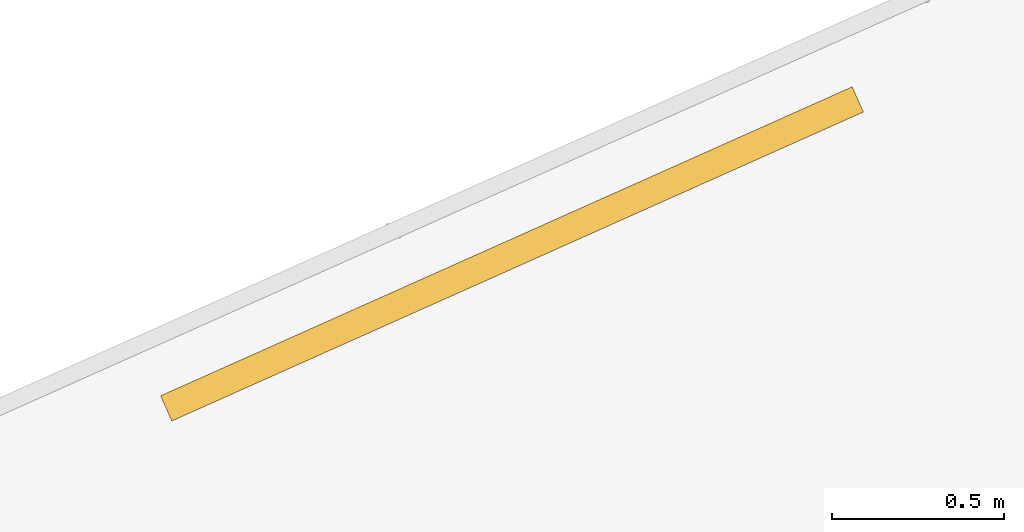
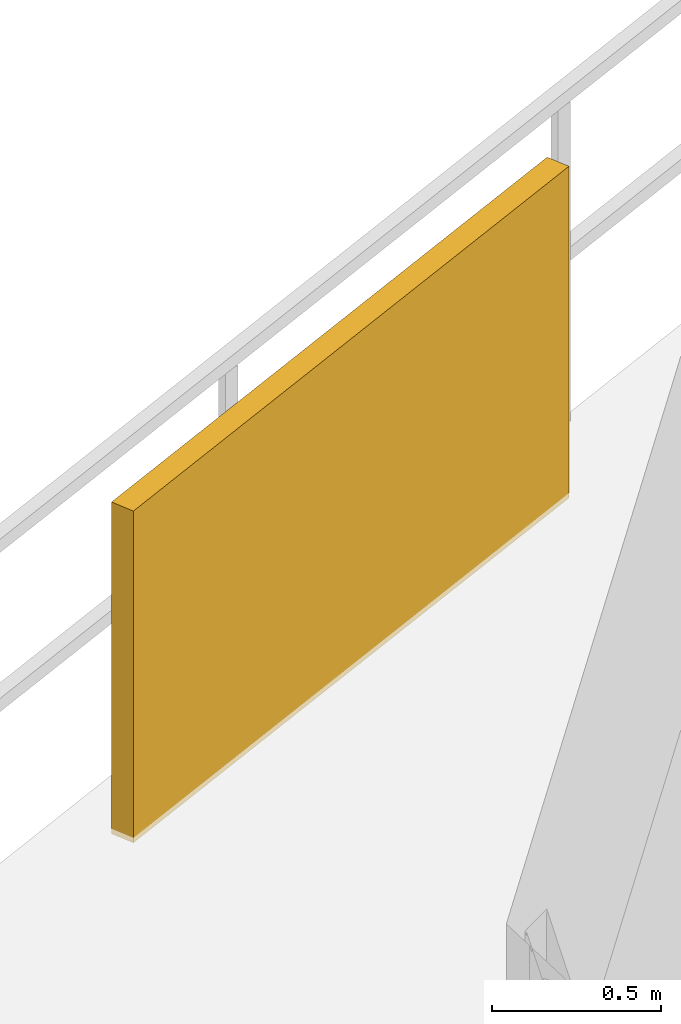
# One storey, part 24 of 25: 1 shading device.
"""IFC4 building model written with IfcOpenShell, lengths in metres."""

from ifc_helpers import new_model, si_unit, direction, frame, origin, origin_2d, place, context, subcontext, project, spatial, rectangle, extrude, material, type_object, element, save


model = new_model("IFC4")

# Units and contexts
model_context = context("Model", 3, precision=1e-05, world=origin(), true_north=direction((0.0, 1.0)))
body_context = subcontext(model_context, "Body", "Model", "MODEL_VIEW")
ifc_project = project(units=[si_unit("LENGTHUNIT", "METRE"), si_unit("AREAUNIT", "SQUARE_METRE"), si_unit("VOLUMEUNIT", "CUBIC_METRE"), si_unit("PLANEANGLEUNIT", "RADIAN"), si_unit("MASSUNIT", "GRAM", prefix="KILO")], contexts=[model_context])

# Site, building, storey
site_placement = place(None, origin())
site = spatial("IfcSite", under=ifc_project, at=site_placement, CompositionType="ELEMENT")
building_placement = place(site_placement, origin())
building = spatial("IfcBuilding", under=site, at=building_placement, Name="Vorneva Point Tower", CompositionType="ELEMENT")
storey_placement = place(building_placement, frame((0.0, 0.0, 276.85009765625)))
storey = spatial("IfcBuildingStorey", under=building, at=storey_placement, Name="L75", CompositionType="ELEMENT", Elevation=276.85009765625)

# Shading device
ifc_material = material(Name="Pale anodised aluminium", Category="aluminium")
shading_device_type = type_object("IfcShadingDeviceType", Name="SHD-JAL-1200", PredefinedType="JALOUSIE", material=ifc_material)
shading_device_placement = place(storey_placement, frame((20.068603515625, 42.28662109375, -0.02001953125), z_axis=(0.0, 0.0, 1.0), x_axis=(-0.913012258106, -0.407932122476, 0.0)))
element("IfcShadingDevice", 1, at=shading_device_placement, inside=storey, type_object=shading_device_type, Name="L75 Balcony Vertical-Greenery Planter Screen NW.2", PredefinedType="JALOUSIE", context=body_context, shape_type="SweptSolid", body=[
    extrude(rectangle(XDim=2.199951171875, YDim=0.080078125, at=origin_2d()), origin(), (0.0, 0.0, 1.0), 1.199951171875),
])

save(model, "model.ifc")
